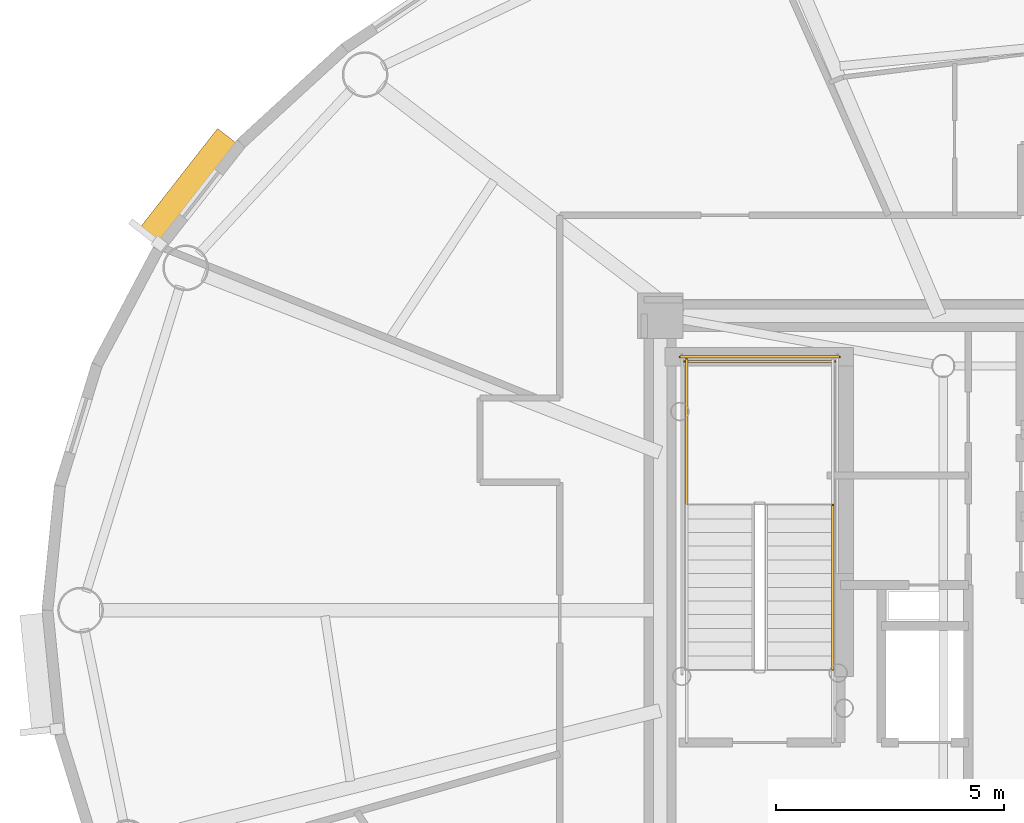
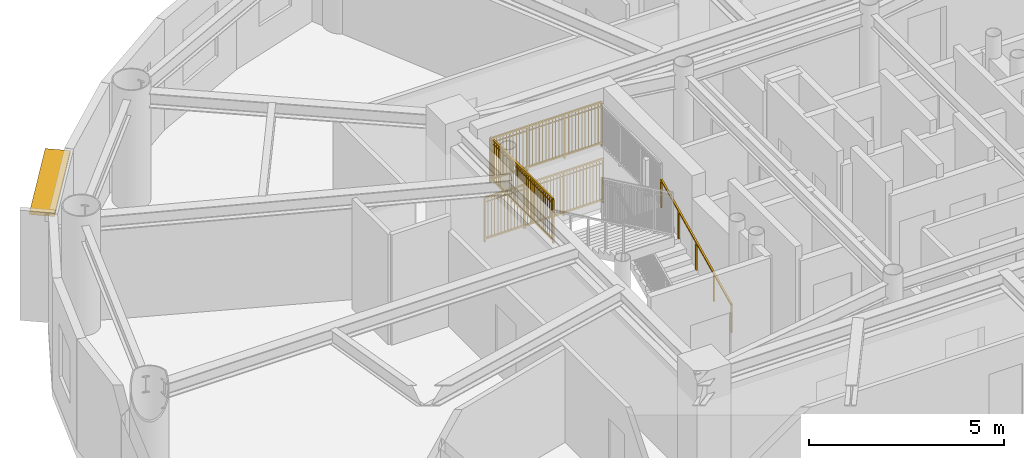
# One storey, part 15 of 17: 4 railings, 1 shading device.
"""IFC4 building model written with IfcOpenShell, lengths in metres."""

from ifc_helpers import new_model, si_unit, direction, frame, origin, origin_2d, place, context, subcontext, project, spatial, rectangle, extrude, source, transform, mapped, material, layer, layer_set, type_object, element, save


model = new_model("IFC4")

# Units and contexts
model_context = context("Model", 3, precision=1e-05, world=origin(), true_north=direction((0.0, 1.0)))
body_context = subcontext(model_context, "Body", "Model", "MODEL_VIEW")
ifc_project = project(units=[si_unit("LENGTHUNIT", "METRE"), si_unit("AREAUNIT", "SQUARE_METRE"), si_unit("VOLUMEUNIT", "CUBIC_METRE"), si_unit("PLANEANGLEUNIT", "RADIAN"), si_unit("MASSUNIT", "GRAM", prefix="KILO")], contexts=[model_context])

# Site, building, storey
site_placement = place(None, origin())
site = spatial("IfcSite", under=ifc_project, at=site_placement, CompositionType="ELEMENT")
building_placement = place(site_placement, origin())
building = spatial("IfcBuilding", under=site, at=building_placement, Name="Linh Dai School and Residence Tower", CompositionType="ELEMENT")
storey_placement = place(building_placement, frame((0.0, 0.0, 314.25)))
storey = spatial("IfcBuildingStorey", under=building, at=storey_placement, Name="L78", CompositionType="ELEMENT", Elevation=314.25)

# Shading device
ifc_material_1 = material(Name="Terracotta Ceramic Sunshade", Category="masonry")
ifc_layer = layer(ifc_material_1, 0.10009765625)
ifc_layer_set = layer_set([ifc_layer], Name="Terracotta Ceramic Sunshade")
shading_device_type = type_object("IfcShadingDeviceType", Name="SHD-TC-650", PredefinedType="USERDEFINED", material=ifc_layer_set)
shared_shape_1 = source(origin(), body_context, "Body", "SweptSolid", [
    extrude(rectangle(XDim=2.84033203125, YDim=0.64990234375, at=origin_2d()), origin(), (0.0, 0.0, 1.0), 0.10009765625),
])
shading_device_placement = place(storey_placement, frame((16.83349609375, 36.2353515625, 3.329833984375), z_axis=(0.0, 0.0, 1.0), x_axis=(0.616310813471, 0.78750300393, 0.0)))
element("IfcShadingDevice", 1, at=shading_device_placement, inside=storey, type_object=shading_device_type, Name="L78 Terracotta Horizontal Sunshade Band 17", ObjectType="SUNSHADE", PredefinedType="USERDEFINED", context=body_context, shape_type="MappedRepresentation", body=[
    mapped(shared_shape_1, transform((0.0, 0.0, 0.0), x_axis=(1.0, 0.0, 0.0), y_axis=(0.0, 1.0, 0.0), z_axis=(0.0, 0.0, 1.0), scale=1.0)),
])

# Railings
ifc_material_2 = material(Name="Structural Steel S355JR", Category="steel")
railing_type_1 = type_object("IfcRailingType", Name="RL-ST-GUARD-1400", PredefinedType="GUARDRAIL", material=ifc_material_2)
shared_shape_2 = source(origin(), body_context, "Body", "SweptSolid", [
    extrude(rectangle(XDim=0.048095703125, YDim=0.048095703125, at=origin_2d()), frame((0.0, 0.0, 1.3759765625), z_axis=(-1.0, 0.0, 0.0), x_axis=(0.0, -1.0, 0.0)), (0.0, 0.0, 1.0), 3.300048828125),
    extrude(rectangle(XDim=0.048095703125, YDim=0.048095703125, at=origin_2d()), frame((0.0, 0.0, 0.10009765625), z_axis=(-1.0, 0.0, 0.0), x_axis=(0.0, -1.0, 0.0)), (0.0, 0.0, 1.0), 3.300048828125),
    extrude(rectangle(XDim=0.030029296875, YDim=0.030029296875, at=origin_2d()), frame((0.0, 0.0, 1.239990234375), z_axis=(-1.0, 0.0, 0.0), x_axis=(0.0, -1.0, 0.0)), (0.0, 0.0, 1.0), 3.300048828125),
    extrude(rectangle(XDim=0.02001953125, YDim=0.02001953125, at=origin_2d()), frame((-0.09716796875, 0.0, 0.10009765625)), (0.0, 0.0, 1.0), 1.251708984375),
    extrude(rectangle(XDim=0.02001953125, YDim=0.02001953125, at=origin_2d()), frame((-0.194091796875, 0.0, 0.10009765625)), (0.0, 0.0, 1.0), 1.251708984375),
    extrude(rectangle(XDim=0.02001953125, YDim=0.02001953125, at=origin_2d()), frame((-0.291259765625, 0.0, 0.10009765625)), (0.0, 0.0, 1.0), 1.251708984375),
    extrude(rectangle(XDim=0.02001953125, YDim=0.02001953125, at=origin_2d()), frame((-0.38818359375, 0.0, 0.10009765625)), (0.0, 0.0, 1.0), 1.251708984375),
    extrude(rectangle(XDim=0.02001953125, YDim=0.02001953125, at=origin_2d()), frame((-0.4853515625, 0.0, 0.10009765625)), (0.0, 0.0, 1.0), 1.251708984375),
    extrude(rectangle(XDim=0.02001953125, YDim=0.02001953125, at=origin_2d()), frame((-0.582275390625, 0.0, 0.10009765625)), (0.0, 0.0, 1.0), 1.251708984375),
    extrude(rectangle(XDim=0.02001953125, YDim=0.02001953125, at=origin_2d()), frame((-0.679443359375, 0.0, 0.10009765625)), (0.0, 0.0, 1.0), 1.251708984375),
    extrude(rectangle(XDim=0.02001953125, YDim=0.02001953125, at=origin_2d()), frame((-0.7763671875, 0.0, 0.10009765625)), (0.0, 0.0, 1.0), 1.251708984375),
    extrude(rectangle(XDim=0.02001953125, YDim=0.02001953125, at=origin_2d()), frame((-0.87353515625, 0.0, 0.10009765625)), (0.0, 0.0, 1.0), 1.251708984375),
    extrude(rectangle(XDim=0.02001953125, YDim=0.02001953125, at=origin_2d()), frame((-0.970703125, 0.0, 0.10009765625)), (0.0, 0.0, 1.0), 1.251708984375),
    extrude(rectangle(XDim=0.02001953125, YDim=0.02001953125, at=origin_2d()), frame((-1.164794921875, 0.0, 0.10009765625)), (0.0, 0.0, 1.0), 1.251708984375),
    extrude(rectangle(XDim=0.02001953125, YDim=0.02001953125, at=origin_2d()), frame((-1.26171875, 0.0, 0.10009765625)), (0.0, 0.0, 1.0), 1.251708984375),
    extrude(rectangle(XDim=0.02001953125, YDim=0.02001953125, at=origin_2d()), frame((-1.35888671875, 0.0, 0.10009765625)), (0.0, 0.0, 1.0), 1.251708984375),
    extrude(rectangle(XDim=0.02001953125, YDim=0.02001953125, at=origin_2d()), frame((-1.455810546875, 0.0, 0.10009765625)), (0.0, 0.0, 1.0), 1.251708984375),
    extrude(rectangle(XDim=0.02001953125, YDim=0.02001953125, at=origin_2d()), frame((-1.552978515625, 0.0, 0.10009765625)), (0.0, 0.0, 1.0), 1.251708984375),
    extrude(rectangle(XDim=0.02001953125, YDim=0.02001953125, at=origin_2d()), frame((-1.64990234375, 0.0, 0.10009765625)), (0.0, 0.0, 1.0), 1.251708984375),
    extrude(rectangle(XDim=0.02001953125, YDim=0.02001953125, at=origin_2d()), frame((-1.7470703125, 0.0, 0.10009765625)), (0.0, 0.0, 1.0), 1.251708984375),
    extrude(rectangle(XDim=0.02001953125, YDim=0.02001953125, at=origin_2d()), frame((-1.84423828125, 0.0, 0.10009765625)), (0.0, 0.0, 1.0), 1.251708984375),
    extrude(rectangle(XDim=0.02001953125, YDim=0.02001953125, at=origin_2d()), frame((-1.941162109375, 0.0, 0.10009765625)), (0.0, 0.0, 1.0), 1.251708984375),
    extrude(rectangle(XDim=0.02001953125, YDim=0.02001953125, at=origin_2d()), frame((-2.038330078125, 0.0, 0.10009765625)), (0.0, 0.0, 1.0), 1.251708984375),
    extrude(rectangle(XDim=0.02001953125, YDim=0.02001953125, at=origin_2d()), frame((-2.13525390625, 0.0, 0.10009765625)), (0.0, 0.0, 1.0), 1.251708984375),
    extrude(rectangle(XDim=0.02001953125, YDim=0.02001953125, at=origin_2d()), frame((-2.329345703125, 0.0, 0.10009765625)), (0.0, 0.0, 1.0), 1.251708984375),
    extrude(rectangle(XDim=0.02001953125, YDim=0.02001953125, at=origin_2d()), frame((-2.426513671875, 0.0, 0.10009765625)), (0.0, 0.0, 1.0), 1.251708984375),
    extrude(rectangle(XDim=0.02001953125, YDim=0.02001953125, at=origin_2d()), frame((-2.523681640625, 0.0, 0.10009765625)), (0.0, 0.0, 1.0), 1.251708984375),
    extrude(rectangle(XDim=0.02001953125, YDim=0.02001953125, at=origin_2d()), frame((-2.62060546875, 0.0, 0.10009765625)), (0.0, 0.0, 1.0), 1.251708984375),
    extrude(rectangle(XDim=0.02001953125, YDim=0.02001953125, at=origin_2d()), frame((-2.7177734375, 0.0, 0.10009765625)), (0.0, 0.0, 1.0), 1.251708984375),
    extrude(rectangle(XDim=0.02001953125, YDim=0.02001953125, at=origin_2d()), frame((-2.814697265625, 0.0, 0.10009765625)), (0.0, 0.0, 1.0), 1.251708984375),
    extrude(rectangle(XDim=0.02001953125, YDim=0.02001953125, at=origin_2d()), frame((-2.911865234375, 0.0, 0.10009765625)), (0.0, 0.0, 1.0), 1.251708984375),
    extrude(rectangle(XDim=0.02001953125, YDim=0.02001953125, at=origin_2d()), frame((-3.0087890625, 0.0, 0.10009765625)), (0.0, 0.0, 1.0), 1.251708984375),
    extrude(rectangle(XDim=0.02001953125, YDim=0.02001953125, at=origin_2d()), frame((-3.10595703125, 0.0, 0.10009765625)), (0.0, 0.0, 1.0), 1.251708984375),
    extrude(rectangle(XDim=0.02001953125, YDim=0.02001953125, at=origin_2d()), frame((-3.202880859375, 0.0, 0.10009765625)), (0.0, 0.0, 1.0), 1.251708984375),
    extrude(rectangle(XDim=0.0419921875, YDim=0.0419921875, at=origin_2d()), origin(), (0.0, 0.0, 1.0), 1.3759765625),
    extrude(rectangle(XDim=0.0419921875, YDim=0.0419921875, at=origin_2d()), frame((-1.10009765625, 0.0, 0.0)), (0.0, 0.0, 1.0), 1.3759765625),
    extrude(rectangle(XDim=0.0419921875, YDim=0.0419921875, at=origin_2d()), frame((-2.199951171875, 0.0, 0.0)), (0.0, 0.0, 1.0), 1.3759765625),
    extrude(rectangle(XDim=0.0419921875, YDim=0.0419921875, at=origin_2d()), frame((-3.300048828125, 0.0, 0.0)), (0.0, 0.0, 1.0), 1.3759765625),
])
railing_1_placement = place(storey_placement, frame((30.97998046875, 32.449951171875, 1.875)))
element("IfcRailing", 2, at=railing_1_placement, inside=storey, type_object=railing_type_1, Name="L78 ST1 stair guard 5", PredefinedType="GUARDRAIL", context=body_context, shape_type="MappedRepresentation", body=[
    mapped(shared_shape_2, transform((0.0, 0.0, 0.0), x_axis=(1.0, 0.0, 0.0), y_axis=(0.0, 1.0, 0.0), z_axis=(0.0, 0.0, 1.0), scale=1.0)),
])
shared_shape_3 = source(origin(), body_context, "Body", "SweptSolid", [
    extrude(rectangle(XDim=0.048095703125, YDim=0.048095703125, at=origin_2d()), frame((0.0, 0.0, 1.3759765625), z_axis=(-1.0, 0.0, 0.0), x_axis=(0.0, -1.0, 0.0)), (0.0, 0.0, 1.0), 3.5),
    extrude(rectangle(XDim=0.048095703125, YDim=0.048095703125, at=origin_2d()), frame((0.0, 0.0, 0.10009765625), z_axis=(-1.0, 0.0, 0.0), x_axis=(0.0, -1.0, 0.0)), (0.0, 0.0, 1.0), 3.5),
    extrude(rectangle(XDim=0.030029296875, YDim=0.030029296875, at=origin_2d()), frame((0.0, 0.0, 1.239990234375), z_axis=(-1.0, 0.0, 0.0), x_axis=(0.0, -1.0, 0.0)), (0.0, 0.0, 1.0), 3.5),
    extrude(rectangle(XDim=0.02001953125, YDim=0.02001953125, at=origin_2d()), frame((-0.09716796875, 0.0, 0.10009765625)), (0.0, 0.0, 1.0), 1.251708984375),
    extrude(rectangle(XDim=0.02001953125, YDim=0.02001953125, at=origin_2d()), frame((-0.1943359375, 0.0, 0.10009765625)), (0.0, 0.0, 1.0), 1.251708984375),
    extrude(rectangle(XDim=0.02001953125, YDim=0.02001953125, at=origin_2d()), frame((-0.291748046875, 0.0, 0.10009765625)), (0.0, 0.0, 1.0), 1.251708984375),
    extrude(rectangle(XDim=0.02001953125, YDim=0.02001953125, at=origin_2d()), frame((-0.388916015625, 0.0, 0.10009765625)), (0.0, 0.0, 1.0), 1.251708984375),
    extrude(rectangle(XDim=0.02001953125, YDim=0.02001953125, at=origin_2d()), frame((-0.486083984375, 0.0, 0.10009765625)), (0.0, 0.0, 1.0), 1.251708984375),
    extrude(rectangle(XDim=0.02001953125, YDim=0.02001953125, at=origin_2d()), frame((-0.583251953125, 0.0, 0.10009765625)), (0.0, 0.0, 1.0), 1.251708984375),
    extrude(rectangle(XDim=0.02001953125, YDim=0.02001953125, at=origin_2d()), frame((-0.6806640625, 0.0, 0.10009765625)), (0.0, 0.0, 1.0), 1.251708984375),
    extrude(rectangle(XDim=0.02001953125, YDim=0.02001953125, at=origin_2d()), frame((-0.77783203125, 0.0, 0.10009765625)), (0.0, 0.0, 1.0), 1.251708984375),
    extrude(rectangle(XDim=0.02001953125, YDim=0.02001953125, at=origin_2d()), frame((-0.875, 0.0, 0.10009765625)), (0.0, 0.0, 1.0), 1.251708984375),
    extrude(rectangle(XDim=0.02001953125, YDim=0.02001953125, at=origin_2d()), frame((-0.97216796875, 0.0, 0.10009765625)), (0.0, 0.0, 1.0), 1.251708984375),
    extrude(rectangle(XDim=0.02001953125, YDim=0.02001953125, at=origin_2d()), frame((-1.0693359375, 0.0, 0.10009765625)), (0.0, 0.0, 1.0), 1.251708984375),
    extrude(rectangle(XDim=0.02001953125, YDim=0.02001953125, at=origin_2d()), frame((-1.263916015625, 0.0, 0.10009765625)), (0.0, 0.0, 1.0), 1.251708984375),
    extrude(rectangle(XDim=0.02001953125, YDim=0.02001953125, at=origin_2d()), frame((-1.361083984375, 0.0, 0.10009765625)), (0.0, 0.0, 1.0), 1.251708984375),
    extrude(rectangle(XDim=0.02001953125, YDim=0.02001953125, at=origin_2d()), frame((-1.458251953125, 0.0, 0.10009765625)), (0.0, 0.0, 1.0), 1.251708984375),
    extrude(rectangle(XDim=0.02001953125, YDim=0.02001953125, at=origin_2d()), frame((-1.5556640625, 0.0, 0.10009765625)), (0.0, 0.0, 1.0), 1.251708984375),
    extrude(rectangle(XDim=0.02001953125, YDim=0.02001953125, at=origin_2d()), frame((-1.65283203125, 0.0, 0.10009765625)), (0.0, 0.0, 1.0), 1.251708984375),
    extrude(rectangle(XDim=0.02001953125, YDim=0.02001953125, at=origin_2d()), frame((-1.75, 0.0, 0.10009765625)), (0.0, 0.0, 1.0), 1.251708984375),
    extrude(rectangle(XDim=0.02001953125, YDim=0.02001953125, at=origin_2d()), frame((-1.84716796875, 0.0, 0.10009765625)), (0.0, 0.0, 1.0), 1.251708984375),
    extrude(rectangle(XDim=0.02001953125, YDim=0.02001953125, at=origin_2d()), frame((-1.9443359375, 0.0, 0.10009765625)), (0.0, 0.0, 1.0), 1.251708984375),
    extrude(rectangle(XDim=0.02001953125, YDim=0.02001953125, at=origin_2d()), frame((-2.041748046875, 0.0, 0.10009765625)), (0.0, 0.0, 1.0), 1.251708984375),
    extrude(rectangle(XDim=0.02001953125, YDim=0.02001953125, at=origin_2d()), frame((-2.138916015625, 0.0, 0.10009765625)), (0.0, 0.0, 1.0), 1.251708984375),
    extrude(rectangle(XDim=0.02001953125, YDim=0.02001953125, at=origin_2d()), frame((-2.236083984375, 0.0, 0.10009765625)), (0.0, 0.0, 1.0), 1.251708984375),
    extrude(rectangle(XDim=0.02001953125, YDim=0.02001953125, at=origin_2d()), frame((-2.4306640625, 0.0, 0.10009765625)), (0.0, 0.0, 1.0), 1.251708984375),
    extrude(rectangle(XDim=0.02001953125, YDim=0.02001953125, at=origin_2d()), frame((-2.52783203125, 0.0, 0.10009765625)), (0.0, 0.0, 1.0), 1.251708984375),
    extrude(rectangle(XDim=0.02001953125, YDim=0.02001953125, at=origin_2d()), frame((-2.625, 0.0, 0.10009765625)), (0.0, 0.0, 1.0), 1.251708984375),
    extrude(rectangle(XDim=0.02001953125, YDim=0.02001953125, at=origin_2d()), frame((-2.72216796875, 0.0, 0.10009765625)), (0.0, 0.0, 1.0), 1.251708984375),
    extrude(rectangle(XDim=0.02001953125, YDim=0.02001953125, at=origin_2d()), frame((-2.8193359375, 0.0, 0.10009765625)), (0.0, 0.0, 1.0), 1.251708984375),
    extrude(rectangle(XDim=0.02001953125, YDim=0.02001953125, at=origin_2d()), frame((-2.916748046875, 0.0, 0.10009765625)), (0.0, 0.0, 1.0), 1.251708984375),
    extrude(rectangle(XDim=0.02001953125, YDim=0.02001953125, at=origin_2d()), frame((-3.013916015625, 0.0, 0.10009765625)), (0.0, 0.0, 1.0), 1.251708984375),
    extrude(rectangle(XDim=0.02001953125, YDim=0.02001953125, at=origin_2d()), frame((-3.111083984375, 0.0, 0.10009765625)), (0.0, 0.0, 1.0), 1.251708984375),
    extrude(rectangle(XDim=0.02001953125, YDim=0.02001953125, at=origin_2d()), frame((-3.208251953125, 0.0, 0.10009765625)), (0.0, 0.0, 1.0), 1.251708984375),
    extrude(rectangle(XDim=0.02001953125, YDim=0.02001953125, at=origin_2d()), frame((-3.3056640625, 0.0, 0.10009765625)), (0.0, 0.0, 1.0), 1.251708984375),
    extrude(rectangle(XDim=0.02001953125, YDim=0.02001953125, at=origin_2d()), frame((-3.40283203125, 0.0, 0.10009765625)), (0.0, 0.0, 1.0), 1.251708984375),
    extrude(rectangle(XDim=0.0419921875, YDim=0.0419921875, at=origin_2d()), origin(), (0.0, 0.0, 1.0), 1.3759765625),
    extrude(rectangle(XDim=0.0419921875, YDim=0.0419921875, at=origin_2d()), frame((-1.166748046875, 0.0, 0.0)), (0.0, 0.0, 1.0), 1.3759765625),
    extrude(rectangle(XDim=0.0419921875, YDim=0.0419921875, at=origin_2d()), frame((-2.333251953125, 0.0, 0.0)), (0.0, 0.0, 1.0), 1.3759765625),
    extrude(rectangle(XDim=0.0419921875, YDim=0.0419921875, at=origin_2d()), frame((-3.5, 0.0, 0.0)), (0.0, 0.0, 1.0), 1.3759765625),
])
railing_2_placement = place(storey_placement, frame((31.080078125, 32.550048828125, 0.0)))
element("IfcRailing", 3, at=railing_2_placement, inside=storey, type_object=railing_type_1, Name="L78 ST1 stair guard 12", PredefinedType="GUARDRAIL", context=body_context, shape_type="MappedRepresentation", body=[
    mapped(shared_shape_3, transform((0.0, 0.0, 0.0), x_axis=(1.0, 0.0, 0.0), y_axis=(0.0, 1.0, 0.0), z_axis=(0.0, 0.0, 1.0), scale=1.0)),
])
shared_shape_4 = source(origin(), body_context, "Body", "SweptSolid", [
    extrude(rectangle(XDim=0.048095703125, YDim=0.048095703125, at=origin_2d()), frame((0.0, 0.0, 1.3759765625), z_axis=(0.0, 1.0, 0.0), x_axis=(-1.0, 0.0, 0.0)), (0.0, 0.0, 1.0), 3.199951171875),
    extrude(rectangle(XDim=0.048095703125, YDim=0.048095703125, at=origin_2d()), frame((0.0, 0.0, 0.10009765625), z_axis=(0.0, 1.0, 0.0), x_axis=(-1.0, 0.0, 0.0)), (0.0, 0.0, 1.0), 3.199951171875),
    extrude(rectangle(XDim=0.030029296875, YDim=0.030029296875, at=origin_2d()), frame((0.0, 0.0, 1.239990234375), z_axis=(0.0, 1.0, 0.0), x_axis=(-1.0, 0.0, 0.0)), (0.0, 0.0, 1.0), 3.199951171875),
    extrude(rectangle(XDim=0.02001953125, YDim=0.02001953125, at=origin_2d()), frame((0.0, 0.096923828125, 0.10009765625)), (0.0, 0.0, 1.0), 1.251708984375),
    extrude(rectangle(XDim=0.02001953125, YDim=0.02001953125, at=origin_2d()), frame((0.0, 0.19384765625, 0.10009765625)), (0.0, 0.0, 1.0), 1.251708984375),
    extrude(rectangle(XDim=0.02001953125, YDim=0.02001953125, at=origin_2d()), frame((0.0, 0.291015625, 0.10009765625)), (0.0, 0.0, 1.0), 1.251708984375),
    extrude(rectangle(XDim=0.02001953125, YDim=0.02001953125, at=origin_2d()), frame((0.0, 0.387939453125, 0.10009765625)), (0.0, 0.0, 1.0), 1.251708984375),
    extrude(rectangle(XDim=0.02001953125, YDim=0.02001953125, at=origin_2d()), frame((0.0, 0.48486328125, 0.10009765625)), (0.0, 0.0, 1.0), 1.251708984375),
    extrude(rectangle(XDim=0.02001953125, YDim=0.02001953125, at=origin_2d()), frame((0.0, 0.581787109375, 0.10009765625)), (0.0, 0.0, 1.0), 1.251708984375),
    extrude(rectangle(XDim=0.02001953125, YDim=0.02001953125, at=origin_2d()), frame((0.0, 0.6787109375, 0.10009765625)), (0.0, 0.0, 1.0), 1.251708984375),
    extrude(rectangle(XDim=0.02001953125, YDim=0.02001953125, at=origin_2d()), frame((0.0, 0.775634765625, 0.10009765625)), (0.0, 0.0, 1.0), 1.251708984375),
    extrude(rectangle(XDim=0.02001953125, YDim=0.02001953125, at=origin_2d()), frame((0.0, 0.872802734375, 0.10009765625)), (0.0, 0.0, 1.0), 1.251708984375),
    extrude(rectangle(XDim=0.02001953125, YDim=0.02001953125, at=origin_2d()), frame((0.0, 0.9697265625, 0.10009765625)), (0.0, 0.0, 1.0), 1.251708984375),
    extrude(rectangle(XDim=0.02001953125, YDim=0.02001953125, at=origin_2d()), frame((0.0, 1.16357421875, 0.10009765625)), (0.0, 0.0, 1.0), 1.251708984375),
    extrude(rectangle(XDim=0.02001953125, YDim=0.02001953125, at=origin_2d()), frame((0.0, 1.260498046875, 0.10009765625)), (0.0, 0.0, 1.0), 1.251708984375),
    extrude(rectangle(XDim=0.02001953125, YDim=0.02001953125, at=origin_2d()), frame((0.0, 1.357666015625, 0.10009765625)), (0.0, 0.0, 1.0), 1.251708984375),
    extrude(rectangle(XDim=0.02001953125, YDim=0.02001953125, at=origin_2d()), frame((0.0, 1.45458984375, 0.10009765625)), (0.0, 0.0, 1.0), 1.251708984375),
    extrude(rectangle(XDim=0.02001953125, YDim=0.02001953125, at=origin_2d()), frame((0.0, 1.551513671875, 0.10009765625)), (0.0, 0.0, 1.0), 1.251708984375),
    extrude(rectangle(XDim=0.02001953125, YDim=0.02001953125, at=origin_2d()), frame((0.0, 1.6484375, 0.10009765625)), (0.0, 0.0, 1.0), 1.251708984375),
    extrude(rectangle(XDim=0.02001953125, YDim=0.02001953125, at=origin_2d()), frame((0.0, 1.745361328125, 0.10009765625)), (0.0, 0.0, 1.0), 1.251708984375),
    extrude(rectangle(XDim=0.02001953125, YDim=0.02001953125, at=origin_2d()), frame((0.0, 1.84228515625, 0.10009765625)), (0.0, 0.0, 1.0), 1.251708984375),
    extrude(rectangle(XDim=0.02001953125, YDim=0.02001953125, at=origin_2d()), frame((0.0, 1.939453125, 0.10009765625)), (0.0, 0.0, 1.0), 1.251708984375),
    extrude(rectangle(XDim=0.02001953125, YDim=0.02001953125, at=origin_2d()), frame((0.0, 2.036376953125, 0.10009765625)), (0.0, 0.0, 1.0), 1.251708984375),
    extrude(rectangle(XDim=0.02001953125, YDim=0.02001953125, at=origin_2d()), frame((0.0, 2.230224609375, 0.10009765625)), (0.0, 0.0, 1.0), 1.251708984375),
    extrude(rectangle(XDim=0.02001953125, YDim=0.02001953125, at=origin_2d()), frame((0.0, 2.3271484375, 0.10009765625)), (0.0, 0.0, 1.0), 1.251708984375),
    extrude(rectangle(XDim=0.02001953125, YDim=0.02001953125, at=origin_2d()), frame((0.0, 2.42431640625, 0.10009765625)), (0.0, 0.0, 1.0), 1.251708984375),
    extrude(rectangle(XDim=0.02001953125, YDim=0.02001953125, at=origin_2d()), frame((0.0, 2.521240234375, 0.10009765625)), (0.0, 0.0, 1.0), 1.251708984375),
    extrude(rectangle(XDim=0.02001953125, YDim=0.02001953125, at=origin_2d()), frame((0.0, 2.6181640625, 0.10009765625)), (0.0, 0.0, 1.0), 1.251708984375),
    extrude(rectangle(XDim=0.02001953125, YDim=0.02001953125, at=origin_2d()), frame((0.0, 2.715087890625, 0.10009765625)), (0.0, 0.0, 1.0), 1.251708984375),
    extrude(rectangle(XDim=0.02001953125, YDim=0.02001953125, at=origin_2d()), frame((0.0, 2.81201171875, 0.10009765625)), (0.0, 0.0, 1.0), 1.251708984375),
    extrude(rectangle(XDim=0.02001953125, YDim=0.02001953125, at=origin_2d()), frame((0.0, 2.908935546875, 0.10009765625)), (0.0, 0.0, 1.0), 1.251708984375),
    extrude(rectangle(XDim=0.02001953125, YDim=0.02001953125, at=origin_2d()), frame((0.0, 3.006103515625, 0.10009765625)), (0.0, 0.0, 1.0), 1.251708984375),
    extrude(rectangle(XDim=0.02001953125, YDim=0.02001953125, at=origin_2d()), frame((0.0, 3.10302734375, 0.10009765625)), (0.0, 0.0, 1.0), 1.251708984375),
    extrude(rectangle(XDim=0.0419921875, YDim=0.0419921875, at=origin_2d()), origin(), (0.0, 0.0, 1.0), 1.3759765625),
    extrude(rectangle(XDim=0.0419921875, YDim=0.0419921875, at=origin_2d()), frame((0.0, 1.066650390625, 0.0)), (0.0, 0.0, 1.0), 1.3759765625),
    extrude(rectangle(XDim=0.0419921875, YDim=0.0419921875, at=origin_2d()), frame((0.0, 2.13330078125, 0.0)), (0.0, 0.0, 1.0), 1.3759765625),
    extrude(rectangle(XDim=0.0419921875, YDim=0.0419921875, at=origin_2d()), frame((0.0, 3.199951171875, 0.0)), (0.0, 0.0, 1.0), 1.3759765625),
])
railing_3_placement = place(storey_placement, frame((27.72998046875, 29.300048828125, 1.875)))
element("IfcRailing", 4, at=railing_3_placement, inside=storey, type_object=railing_type_1, Name="L78 ST1 stair guard 4", PredefinedType="GUARDRAIL", context=body_context, shape_type="MappedRepresentation", body=[
    mapped(shared_shape_4, transform((0.0, 0.0, 0.0), x_axis=(1.0, 0.0, 0.0), y_axis=(0.0, 1.0, 0.0), z_axis=(0.0, 0.0, 1.0), scale=1.0)),
])
ifc_material_3 = material(Name="Brushed Stainless Steel Handrail", Category="steel")
railing_type_2 = type_object("IfcRailingType", Name="RL-ST-HANDRAIL-900", PredefinedType="HANDRAIL", material=ifc_material_3)
shared_shape_5 = source(origin(), body_context, "Body", "SweptSolid", [
    extrude(rectangle(XDim=0.048095703125, YDim=0.048095703125, at=origin_2d()), frame((0.0, 0.0, 0.8759765625), z_axis=(0.0, 0.901262522062, 0.433273431364), x_axis=(-1.0, 0.0, 0.0)), (0.0, 0.0, 1.0), 3.994384765625),
    extrude(rectangle(XDim=0.0419921875, YDim=0.0419921875, at=origin_2d()), origin(), (0.0, 0.0, 1.0), 0.8759765625),
    extrude(rectangle(XDim=0.0419921875, YDim=0.0419921875, at=origin_2d()), frame((0.0, 0.89990234375, 0.4326171875)), (0.0, 0.0, 1.0), 0.8759765625),
    extrude(rectangle(XDim=0.0419921875, YDim=0.0419921875, at=origin_2d()), frame((0.0, 1.800048828125, 0.865234375)), (0.0, 0.0, 1.0), 0.8759765625),
    extrude(rectangle(XDim=0.0419921875, YDim=0.0419921875, at=origin_2d()), frame((0.0, 2.7001953125, 1.298095703125)), (0.0, 0.0, 1.0), 0.8759765625),
    extrude(rectangle(XDim=0.0419921875, YDim=0.0419921875, at=origin_2d()), frame((0.0, 3.60009765625, 1.730712890625)), (0.0, 0.0, 1.0), 0.8759765625),
])
railing_4_placement = place(storey_placement, frame((30.929931640625, 25.699951171875, 0.144287109375)))
element("IfcRailing", 5, at=railing_4_placement, inside=storey, type_object=railing_type_2, Name="L78 ST1 stair handrail 1", PredefinedType="HANDRAIL", context=body_context, shape_type="MappedRepresentation", body=[
    mapped(shared_shape_5, transform((0.0, 0.0, 0.0), x_axis=(1.0, 0.0, 0.0), y_axis=(0.0, 1.0, 0.0), z_axis=(0.0, 0.0, 1.0), scale=1.0)),
])

save(model, "model.ifc")
